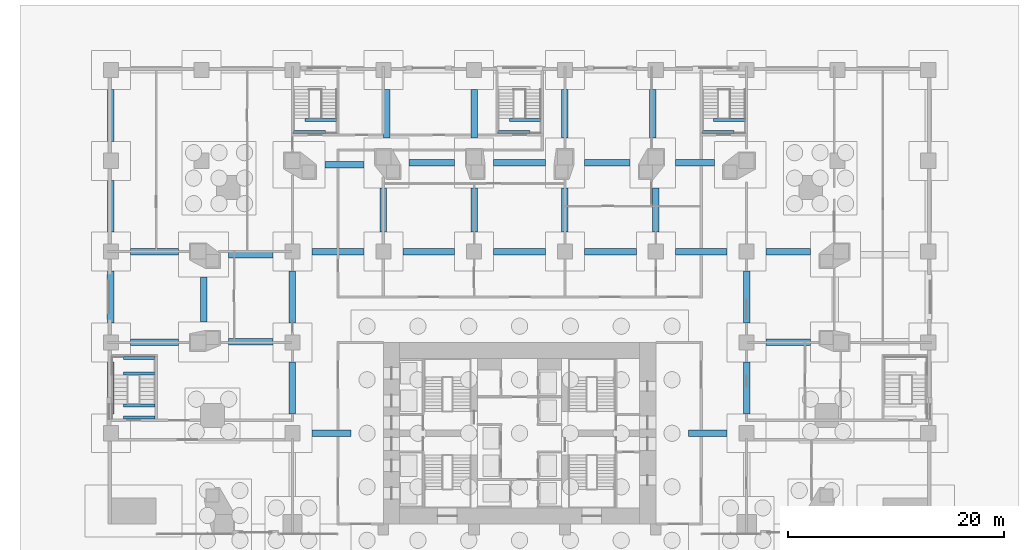
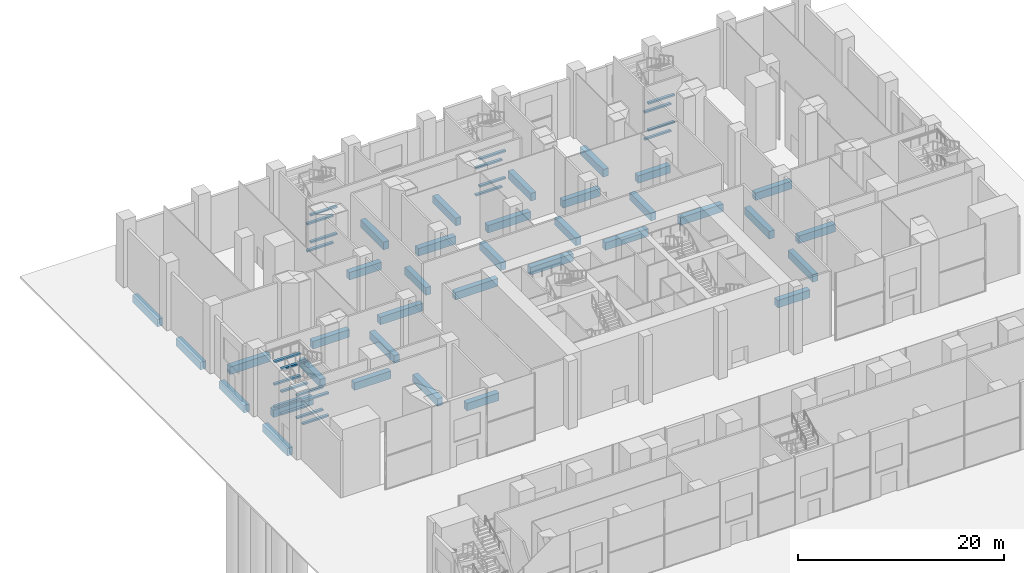
# One storey, part 8 of 31: 57 beams.
"""IFC4 building model written with IfcOpenShell, lengths in metres."""

from ifc_helpers import new_model, si_unit, direction, frame, origin, origin_2d, place, context, subcontext, project, spatial, rectangle, extrude, material, material_profile, profile_set, type_object, element, save


model = new_model("IFC4")

# Units and contexts
model_context = context("Model", 3, precision=1e-05, world=origin(), true_north=direction((0.0, 1.0)))
body_context = subcontext(model_context, "Body", "Model", "MODEL_VIEW")
ifc_project = project(units=[si_unit("LENGTHUNIT", "METRE"), si_unit("AREAUNIT", "SQUARE_METRE"), si_unit("VOLUMEUNIT", "CUBIC_METRE"), si_unit("PLANEANGLEUNIT", "RADIAN"), si_unit("MASSUNIT", "GRAM", prefix="KILO")], contexts=[model_context])

# Site, building, storey
site_placement = place(None, origin())
site = spatial("IfcSite", under=ifc_project, at=site_placement, CompositionType="ELEMENT")
building_placement = place(site_placement, origin())
building = spatial("IfcBuilding", under=site, at=building_placement, Name="Marenta Gate Hotel Tower", CompositionType="ELEMENT")
storey_placement = place(building_placement, origin())
storey = spatial("IfcBuildingStorey", under=building, at=storey_placement, Name="L00", CompositionType="ELEMENT", Elevation=0.0)

# Beams
ifc_material_1 = material(Name="Concrete C40", Category="concrete")
ifc_material_profile_1 = material_profile(ifc_material_1, rectangle(XDim=0.60009765625, YDim=0.89990234375, at=origin_2d()), Name="600 x 900")
ifc_profile_set_1 = profile_set([ifc_material_profile_1], Name="Concrete C40")
beam_type_1 = type_object("IfcBeamType", Name="Ground beam 600 x 900 C40", PredefinedType="BEAM", material=ifc_profile_set_1)
beam_1_placement = place(storey_placement, frame((-37.800048828125, 10.199951171875, -0.75), z_axis=(0.0, 1.0, 0.0), x_axis=(-1.0, 0.0, 0.0)))
element("IfcBeam", 1, at=beam_1_placement, inside=storey, type_object=beam_type_1, Name="L00-GB-11", PredefinedType="BEAM", context=body_context, shape_type="SweptSolid", body=[
    extrude(rectangle(XDim=0.60009765625, YDim=0.89990234375, at=origin_2d()), origin(), (0.0, 0.0, 1.0), 4.800048828125),
])
beam_2_placement = place(storey_placement, frame((-36.0, 16.800048828125, -0.75), z_axis=(1.0, 0.0, 0.0), x_axis=(0.0, 1.0, 0.0)))
element("IfcBeam", 2, at=beam_2_placement, inside=storey, type_object=beam_type_1, Name="L00-GB-12", PredefinedType="BEAM", context=body_context, shape_type="SweptSolid", body=[
    extrude(rectangle(XDim=0.60009765625, YDim=0.89990234375, at=origin_2d()), origin(), (0.0, 0.0, 1.0), 4.47998046875),
])
beam_3_placement = place(storey_placement, frame((-37.800048828125, 18.60009765625, -0.75), z_axis=(0.0, 1.0, 0.0), x_axis=(-1.0, 0.0, 0.0)))
element("IfcBeam", 3, at=beam_3_placement, inside=storey, type_object=beam_type_1, Name="L00-GB-13", PredefinedType="BEAM", context=body_context, shape_type="SweptSolid", body=[
    extrude(rectangle(XDim=0.60009765625, YDim=0.89990234375, at=origin_2d()), origin(), (0.0, 0.0, 1.0), 4.7998046875),
])
beam_4_placement = place(storey_placement, frame((-36.0, 25.199951171875, -0.75), z_axis=(1.0, 0.0, 0.0), x_axis=(0.0, 1.0, 0.0)))
element("IfcBeam", 4, at=beam_4_placement, inside=storey, type_object=beam_type_1, Name="L00-GB-14", PredefinedType="BEAM", context=body_context, shape_type="SweptSolid", body=[
    extrude(rectangle(XDim=0.60009765625, YDim=0.89990234375, at=origin_2d()), origin(), (0.0, 0.0, 1.0), 4.47998046875),
])
for number, where, z_axis, x_axis, name in (
    (5, (-37.800048828125, 27.0, -0.75), (0.0, 1.0, 0.0), (-1.0, 0.0, 0.0), "L00-GB-15"),
    (6, (-37.800048828125, 35.39990234375, -0.75), (0.0, 1.0, 0.0), (-1.0, 0.0, 0.0), "L00-GB-16"),
):
    element("IfcBeam", number, at=place(storey_placement, frame(where, z_axis=z_axis, x_axis=x_axis)), inside=storey, type_object=beam_type_1, Name=name, PredefinedType="BEAM", context=body_context, shape_type="SweptSolid", body=[
        extrude(rectangle(XDim=0.60009765625, YDim=0.89990234375, at=origin_2d()), origin(), (0.0, 0.0, 1.0), 4.800048828125),
    ])
beam_5_placement = place(storey_placement, frame((-26.89990234375, 16.8515625, -0.75), z_axis=(1.0, 0.0, 0.0), x_axis=(0.0, 1.0, 0.0)))
element("IfcBeam", 7, at=beam_5_placement, inside=storey, type_object=beam_type_1, Name="L00-GB-19", PredefinedType="BEAM", context=body_context, shape_type="SweptSolid", body=[
    extrude(rectangle(XDim=0.60009765625, YDim=0.89990234375, at=origin_2d()), origin(), (0.0, 0.0, 1.0), 4.099853515625),
])
beam_6_placement = place(storey_placement, frame((-29.2099609375, 18.702880859375, -0.75), z_axis=(0.0, 1.0, 0.0), x_axis=(-1.0, 0.0, 0.0)))
element("IfcBeam", 8, at=beam_6_placement, inside=storey, type_object=beam_type_1, Name="L00-GB-20", PredefinedType="BEAM", context=body_context, shape_type="SweptSolid", body=[
    extrude(rectangle(XDim=0.60009765625, YDim=0.89990234375, at=origin_2d()), origin(), (0.0, 0.0, 1.0), 4.153076171875),
])
beam_7_placement = place(storey_placement, frame((-26.89990234375, 24.927978515625, -0.75), z_axis=(1.0, 0.0, 0.0), x_axis=(0.0, 1.0, 0.0)))
element("IfcBeam", 9, at=beam_7_placement, inside=storey, type_object=beam_type_1, Name="L00-GB-21", PredefinedType="BEAM", context=body_context, shape_type="SweptSolid", body=[
    extrude(rectangle(XDim=0.60009765625, YDim=0.89990234375, at=origin_2d()), origin(), (0.0, 0.0, 1.0), 4.099853515625),
])
beam_8_placement = place(storey_placement, frame((-19.199951171875, 8.39990234375, -0.75), z_axis=(1.0, 0.0, 0.0), x_axis=(0.0, 1.0, 0.0)))
element("IfcBeam", 10, at=beam_8_placement, inside=storey, type_object=beam_type_1, Name="L00-GB-28", PredefinedType="BEAM", context=body_context, shape_type="SweptSolid", body=[
    extrude(rectangle(XDim=0.60009765625, YDim=0.89990234375, at=origin_2d()), origin(), (0.0, 0.0, 1.0), 3.599853515625),
])
beam_9_placement = place(storey_placement, frame((-21.0, 10.199951171875, -0.75), z_axis=(0.0, 1.0, 0.0), x_axis=(-1.0, 0.0, 0.0)))
element("IfcBeam", 11, at=beam_9_placement, inside=storey, type_object=beam_type_1, Name="L00-GB-29", PredefinedType="BEAM", context=body_context, shape_type="SweptSolid", body=[
    extrude(rectangle(XDim=0.60009765625, YDim=0.89990234375, at=origin_2d()), origin(), (0.0, 0.0, 1.0), 4.800048828125),
])
beam_10_placement = place(storey_placement, frame((-21.0, 18.60009765625, -0.75), z_axis=(0.0, 1.0, 0.0), x_axis=(-1.0, 0.0, 0.0)))
element("IfcBeam", 12, at=beam_10_placement, inside=storey, type_object=beam_type_1, Name="L00-GB-30", PredefinedType="BEAM", context=body_context, shape_type="SweptSolid", body=[
    extrude(rectangle(XDim=0.60009765625, YDim=0.89990234375, at=origin_2d()), origin(), (0.0, 0.0, 1.0), 4.7998046875),
])
beam_11_placement = place(storey_placement, frame((-19.199951171875, 25.199951171875, -0.75), z_axis=(1.0, 0.0, 0.0), x_axis=(0.0, 1.0, 0.0)))
element("IfcBeam", 13, at=beam_11_placement, inside=storey, type_object=beam_type_1, Name="L00-GB-31", PredefinedType="BEAM", context=body_context, shape_type="SweptSolid", body=[
    extrude(rectangle(XDim=0.60009765625, YDim=0.89990234375, at=origin_2d()), origin(), (0.0, 0.0, 1.0), 4.800048828125),
])
beam_12_placement = place(storey_placement, frame((-18.007080078125, 33.25, -0.75), z_axis=(1.0, 0.0, 0.0), x_axis=(0.0, 1.0, 0.0)))
element("IfcBeam", 14, at=beam_12_placement, inside=storey, type_object=beam_type_1, Name="L00-GB-32", PredefinedType="BEAM", context=body_context, shape_type="SweptSolid", body=[
    extrude(rectangle(XDim=0.60009765625, YDim=0.89990234375, at=origin_2d()), origin(), (0.0, 0.0, 1.0), 3.607177734375),
])
beam_13_placement = place(storey_placement, frame((-10.800048828125, 25.199951171875, -0.75), z_axis=(1.0, 0.0, 0.0), x_axis=(0.0, 1.0, 0.0)))
element("IfcBeam", 15, at=beam_13_placement, inside=storey, type_object=beam_type_1, Name="L00-GB-36", PredefinedType="BEAM", context=body_context, shape_type="SweptSolid", body=[
    extrude(rectangle(XDim=0.60009765625, YDim=0.89990234375, at=origin_2d()), origin(), (0.0, 0.0, 1.0), 4.800048828125),
])
beam_14_placement = place(storey_placement, frame((-12.60009765625, 27.0, -0.75), z_axis=(0.0, 1.0, 0.0), x_axis=(-1.0, 0.0, 0.0)))
element("IfcBeam", 16, at=beam_14_placement, inside=storey, type_object=beam_type_1, Name="L00-GB-37", PredefinedType="BEAM", context=body_context, shape_type="SweptSolid", body=[
    extrude(rectangle(XDim=0.60009765625, YDim=0.89990234375, at=origin_2d()), origin(), (0.0, 0.0, 1.0), 4.10009765625),
])
beam_15_placement = place(storey_placement, frame((-10.2041015625, 33.409912109375, -0.75), z_axis=(1.0, 0.0, 0.0), x_axis=(0.0, 1.0, 0.0)))
element("IfcBeam", 17, at=beam_15_placement, inside=storey, type_object=beam_type_1, Name="L00-GB-38", PredefinedType="BEAM", context=body_context, shape_type="SweptSolid", body=[
    extrude(rectangle(XDim=0.60009765625, YDim=0.89990234375, at=origin_2d()), origin(), (0.0, 0.0, 1.0), 4.2041015625),
])
beam_16_placement = place(storey_placement, frame((-12.302001953125, 35.719970703125, -0.75), z_axis=(0.0, 1.0, 0.0), x_axis=(-1.0, 0.0, 0.0)))
element("IfcBeam", 18, at=beam_16_placement, inside=storey, type_object=beam_type_1, Name="L00-GB-39", PredefinedType="BEAM", context=body_context, shape_type="SweptSolid", body=[
    extrude(rectangle(XDim=0.60009765625, YDim=0.89990234375, at=origin_2d()), origin(), (0.0, 0.0, 1.0), 4.47998046875),
])
beam_17_placement = place(storey_placement, frame((-2.39990234375, 25.199951171875, -0.75), z_axis=(1.0, 0.0, 0.0), x_axis=(0.0, 1.0, 0.0)))
element("IfcBeam", 19, at=beam_17_placement, inside=storey, type_object=beam_type_1, Name="L00-GB-44", PredefinedType="BEAM", context=body_context, shape_type="SweptSolid", body=[
    extrude(rectangle(XDim=0.60009765625, YDim=0.89990234375, at=origin_2d()), origin(), (0.0, 0.0, 1.0), 4.7998046875),
])
beam_18_placement = place(storey_placement, frame((-4.199951171875, 27.0, -0.75), z_axis=(0.0, 1.0, 0.0), x_axis=(-1.0, 0.0, 0.0)))
element("IfcBeam", 20, at=beam_18_placement, inside=storey, type_object=beam_type_1, Name="L00-GB-45", PredefinedType="BEAM", context=body_context, shape_type="SweptSolid", body=[
    extrude(rectangle(XDim=0.60009765625, YDim=0.89990234375, at=origin_2d()), origin(), (0.0, 0.0, 1.0), 4.10009765625),
])
beam_19_placement = place(storey_placement, frame((-2.39990234375, 33.409912109375, -0.75), z_axis=(1.0, 0.0, 0.0), x_axis=(0.0, 1.0, 0.0)))
element("IfcBeam", 21, at=beam_19_placement, inside=storey, type_object=beam_type_1, Name="L00-GB-46", PredefinedType="BEAM", context=body_context, shape_type="SweptSolid", body=[
    extrude(rectangle(XDim=0.60009765625, YDim=0.89990234375, at=origin_2d()), origin(), (0.0, 0.0, 1.0), 4.7998046875),
])
beam_20_placement = place(storey_placement, frame((-4.199951171875, 35.719970703125, -0.75), z_axis=(0.0, 1.0, 0.0), x_axis=(-1.0, 0.0, 0.0)))
element("IfcBeam", 22, at=beam_20_placement, inside=storey, type_object=beam_type_1, Name="L00-GB-47", PredefinedType="BEAM", context=body_context, shape_type="SweptSolid", body=[
    extrude(rectangle(XDim=0.60009765625, YDim=0.89990234375, at=origin_2d()), origin(), (0.0, 0.0, 1.0), 4.47998046875),
])
beam_21_placement = place(storey_placement, frame((6.0, 25.199951171875, -0.75), z_axis=(1.0, 0.0, 0.0), x_axis=(0.0, 1.0, 0.0)))
element("IfcBeam", 23, at=beam_21_placement, inside=storey, type_object=beam_type_1, Name="L00-GB-52", PredefinedType="BEAM", context=body_context, shape_type="SweptSolid", body=[
    extrude(rectangle(XDim=0.60009765625, YDim=0.89990234375, at=origin_2d()), origin(), (0.0, 0.0, 1.0), 4.800048828125),
])
beam_22_placement = place(storey_placement, frame((4.199951171875, 27.0, -0.75), z_axis=(0.0, 1.0, 0.0), x_axis=(-1.0, 0.0, 0.0)))
element("IfcBeam", 24, at=beam_22_placement, inside=storey, type_object=beam_type_1, Name="L00-GB-53", PredefinedType="BEAM", context=body_context, shape_type="SweptSolid", body=[
    extrude(rectangle(XDim=0.60009765625, YDim=0.89990234375, at=origin_2d()), origin(), (0.0, 0.0, 1.0), 4.10009765625),
])
beam_23_placement = place(storey_placement, frame((6.0, 33.409912109375, -0.75), z_axis=(1.0, 0.0, 0.0), x_axis=(0.0, 1.0, 0.0)))
element("IfcBeam", 25, at=beam_23_placement, inside=storey, type_object=beam_type_1, Name="L00-GB-54", PredefinedType="BEAM", context=body_context, shape_type="SweptSolid", body=[
    extrude(rectangle(XDim=0.60009765625, YDim=0.89990234375, at=origin_2d()), origin(), (0.0, 0.0, 1.0), 4.2041015625),
])
beam_24_placement = place(storey_placement, frame((4.199951171875, 35.719970703125, -0.75), z_axis=(0.0, 1.0, 0.0), x_axis=(-1.0, 0.0, 0.0)))
element("IfcBeam", 26, at=beam_24_placement, inside=storey, type_object=beam_type_1, Name="L00-GB-55", PredefinedType="BEAM", context=body_context, shape_type="SweptSolid", body=[
    extrude(rectangle(XDim=0.60009765625, YDim=0.89990234375, at=origin_2d()), origin(), (0.0, 0.0, 1.0), 4.47998046875),
])
beam_25_placement = place(storey_placement, frame((14.39990234375, 25.199951171875, -0.75), z_axis=(1.0, 0.0, 0.0), x_axis=(0.0, 1.0, 0.0)))
element("IfcBeam", 27, at=beam_25_placement, inside=storey, type_object=beam_type_1, Name="L00-GB-59", PredefinedType="BEAM", context=body_context, shape_type="SweptSolid", body=[
    extrude(rectangle(XDim=0.60009765625, YDim=0.89990234375, at=origin_2d()), origin(), (0.0, 0.0, 1.0), 4.800048828125),
])
beam_26_placement = place(storey_placement, frame((12.60009765625, 27.0, -0.75), z_axis=(0.0, 1.0, 0.0), x_axis=(-1.0, 0.0, 0.0)))
element("IfcBeam", 28, at=beam_26_placement, inside=storey, type_object=beam_type_1, Name="L00-GB-60", PredefinedType="BEAM", context=body_context, shape_type="SweptSolid", body=[
    extrude(rectangle(XDim=0.60009765625, YDim=0.89990234375, at=origin_2d()), origin(), (0.0, 0.0, 1.0), 4.10009765625),
])
beam_27_placement = place(storey_placement, frame((14.39990234375, 33.409912109375, -0.75), z_axis=(1.0, 0.0, 0.0), x_axis=(0.0, 1.0, 0.0)))
element("IfcBeam", 29, at=beam_27_placement, inside=storey, type_object=beam_type_1, Name="L00-GB-61", PredefinedType="BEAM", context=body_context, shape_type="SweptSolid", body=[
    extrude(rectangle(XDim=0.60009765625, YDim=0.89990234375, at=origin_2d()), origin(), (0.0, 0.0, 1.0), 3.607177734375),
])
beam_28_placement = place(storey_placement, frame((12.302001953125, 35.719970703125, -0.75), z_axis=(0.0, 1.0, 0.0), x_axis=(-1.0, 0.0, 0.0)))
element("IfcBeam", 30, at=beam_28_placement, inside=storey, type_object=beam_type_1, Name="L00-GB-62", PredefinedType="BEAM", context=body_context, shape_type="SweptSolid", body=[
    extrude(rectangle(XDim=0.60009765625, YDim=0.89990234375, at=origin_2d()), origin(), (0.0, 0.0, 1.0), 4.47998046875),
])
beam_29_placement = place(storey_placement, frame((21.0, 10.199951171875, -0.75), z_axis=(0.0, 1.0, 0.0), x_axis=(-1.0, 0.0, 0.0)))
element("IfcBeam", 31, at=beam_29_placement, inside=storey, type_object=beam_type_1, Name="L00-GB-69", PredefinedType="BEAM", context=body_context, shape_type="SweptSolid", body=[
    extrude(rectangle(XDim=0.60009765625, YDim=0.89990234375, at=origin_2d()), origin(), (0.0, 0.0, 1.0), 4.800048828125),
])
beam_30_placement = place(storey_placement, frame((22.800048828125, 16.800048828125, -0.75), z_axis=(1.0, 0.0, 0.0), x_axis=(0.0, 1.0, 0.0)))
element("IfcBeam", 32, at=beam_30_placement, inside=storey, type_object=beam_type_1, Name="L00-GB-70", PredefinedType="BEAM", context=body_context, shape_type="SweptSolid", body=[
    extrude(rectangle(XDim=0.60009765625, YDim=0.89990234375, at=origin_2d()), origin(), (0.0, 0.0, 1.0), 4.099853515625),
])
beam_31_placement = place(storey_placement, frame((21.0, 18.60009765625, -0.75), z_axis=(0.0, 1.0, 0.0), x_axis=(-1.0, 0.0, 0.0)))
element("IfcBeam", 33, at=beam_31_placement, inside=storey, type_object=beam_type_1, Name="L00-GB-71", PredefinedType="BEAM", context=body_context, shape_type="SweptSolid", body=[
    extrude(rectangle(XDim=0.60009765625, YDim=0.89990234375, at=origin_2d()), origin(), (0.0, 0.0, 1.0), 4.7998046875),
])
beam_32_placement = place(storey_placement, frame((22.800048828125, 25.199951171875, -0.75), z_axis=(1.0, 0.0, 0.0), x_axis=(0.0, 1.0, 0.0)))
element("IfcBeam", 34, at=beam_32_placement, inside=storey, type_object=beam_type_1, Name="L00-GB-72", PredefinedType="BEAM", context=body_context, shape_type="SweptSolid", body=[
    extrude(rectangle(XDim=0.60009765625, YDim=0.89990234375, at=origin_2d()), origin(), (0.0, 0.0, 1.0), 4.099853515625),
])
beam_33_placement = place(storey_placement, frame((15.60009765625, 8.39990234375, -0.75), z_axis=(1.0, 0.0, 0.0), x_axis=(0.0, 1.0, 0.0)))
element("IfcBeam", 35, at=beam_33_placement, inside=storey, type_object=beam_type_1, Name="L00-GB-74", PredefinedType="BEAM", context=body_context, shape_type="SweptSolid", body=[
    extrude(rectangle(XDim=0.60009765625, YDim=0.89990234375, at=origin_2d()), origin(), (0.0, 0.0, 1.0), 3.599853515625),
])
ifc_material_2 = material(Name="Concrete C40", Category="concrete")
ifc_material_profile_2 = material_profile(ifc_material_2, rectangle(XDim=0.300048828125, YDim=0.199951171875, at=origin_2d()), Name="300 x 200")
ifc_profile_set_2 = profile_set([ifc_material_profile_2], Name="Concrete C40")
beam_type_2 = type_object("IfcBeamType", Name="Stair landing trimmer 300 x 200 C40", PredefinedType="BEAM", material=ifc_profile_set_2)
beam_34_placement = place(storey_placement, frame((-20.89990234375, 36.25, 1.300048828125), z_axis=(1.0, 0.0, 0.0), x_axis=(0.0, 1.0, 0.0)))
element("IfcBeam", 36, at=beam_34_placement, inside=storey, type_object=beam_type_2, Name="L00-PX3-LT-1", PredefinedType="BEAM", context=body_context, shape_type="SweptSolid", body=[
    extrude(rectangle(XDim=0.300048828125, YDim=0.199951171875, at=origin_2d()), origin(), (0.0, 0.0, 1.0), 2.949951171875),
])
beam_35_placement = place(storey_placement, frame((-19.85009765625, 37.3798828125, 1.300048828125), z_axis=(1.0, 0.0, 0.0), x_axis=(0.0, 1.0, 0.0)))
element("IfcBeam", 37, at=beam_35_placement, inside=storey, type_object=beam_type_2, Name="L00-PX3-LT-2", PredefinedType="BEAM", context=body_context, shape_type="SweptSolid", body=[
    extrude(rectangle(XDim=0.300048828125, YDim=0.199951171875, at=origin_2d()), origin(), (0.0, 0.0, 1.0), 2.9501953125),
])
beam_36_placement = place(storey_placement, frame((-20.89990234375, 36.25, 4.5), z_axis=(1.0, 0.0, 0.0), x_axis=(0.0, 1.0, 0.0)))
element("IfcBeam", 38, at=beam_36_placement, inside=storey, type_object=beam_type_2, Name="L00-PX3-LT-5", PredefinedType="BEAM", context=body_context, shape_type="SweptSolid", body=[
    extrude(rectangle(XDim=0.300048828125, YDim=0.199951171875, at=origin_2d()), origin(), (0.0, 0.0, 1.0), 2.949951171875),
])
for number, where, z_axis, x_axis, name in (
    (39, (-19.85009765625, 37.3798828125, 4.5), (1.0, 0.0, 0.0), (0.0, 1.0, 0.0), "L00-PX3-LT-6"),
    (40, (16.89990234375, 36.25, 1.300048828125), (1.0, 0.0, 0.0), (0.0, 1.0, 0.0), "L00-PX4-LT-1"),
):
    element("IfcBeam", number, at=place(storey_placement, frame(where, z_axis=z_axis, x_axis=x_axis)), inside=storey, type_object=beam_type_2, Name=name, PredefinedType="BEAM", context=body_context, shape_type="SweptSolid", body=[
        extrude(rectangle(XDim=0.300048828125, YDim=0.199951171875, at=origin_2d()), origin(), (0.0, 0.0, 1.0), 2.9501953125),
    ])
beam_37_placement = place(storey_placement, frame((17.949951171875, 37.3798828125, 1.300048828125), z_axis=(1.0, 0.0, 0.0), x_axis=(0.0, 1.0, 0.0)))
element("IfcBeam", 41, at=beam_37_placement, inside=storey, type_object=beam_type_2, Name="L00-PX4-LT-2", PredefinedType="BEAM", context=body_context, shape_type="SweptSolid", body=[
    extrude(rectangle(XDim=0.300048828125, YDim=0.199951171875, at=origin_2d()), origin(), (0.0, 0.0, 1.0), 2.949951171875),
])
beam_38_placement = place(storey_placement, frame((16.89990234375, 36.25, 4.5), z_axis=(1.0, 0.0, 0.0), x_axis=(0.0, 1.0, 0.0)))
element("IfcBeam", 42, at=beam_38_placement, inside=storey, type_object=beam_type_2, Name="L00-PX4-LT-5", PredefinedType="BEAM", context=body_context, shape_type="SweptSolid", body=[
    extrude(rectangle(XDim=0.300048828125, YDim=0.199951171875, at=origin_2d()), origin(), (0.0, 0.0, 1.0), 2.9501953125),
])
for number, where, z_axis, x_axis, name in (
    (43, (17.949951171875, 37.3798828125, 4.5), (1.0, 0.0, 0.0), (0.0, 1.0, 0.0), "L00-PX4-LT-6"),
    (44, (-36.64990234375, 13.93994140625, 1.033203125), (1.0, 0.0, 0.0), (0.0, 1.0, 0.0), "L00-PX6-LT-1"),
    (45, (-36.64990234375, 15.35009765625, 1.033203125), (1.0, 0.0, 0.0), (0.0, 1.0, 0.0), "L00-PX6-LT-2"),
    (46, (-36.64990234375, 9.85009765625, 2.36669921875), (1.0, 0.0, 0.0), (0.0, 1.0, 0.0), "L00-PX6-LT-3"),
    (47, (-36.64990234375, 10.97998046875, 2.36669921875), (1.0, 0.0, 0.0), (0.0, 1.0, 0.0), "L00-PX6-LT-4"),
    (48, (-36.64990234375, 13.93994140625, 3.699951171875), (1.0, 0.0, 0.0), (0.0, 1.0, 0.0), "L00-PX6-LT-5"),
    (49, (-36.64990234375, 15.35009765625, 3.699951171875), (1.0, 0.0, 0.0), (0.0, 1.0, 0.0), "L00-PX6-LT-6"),
    (50, (-36.64990234375, 9.85009765625, 5.033203125), (1.0, 0.0, 0.0), (0.0, 1.0, 0.0), "L00-PX6-LT-7"),
    (51, (-36.64990234375, 10.97998046875, 5.033203125), (1.0, 0.0, 0.0), (0.0, 1.0, 0.0), "L00-PX6-LT-8"),
    (52, (-36.64990234375, 13.93994140625, 6.36669921875), (1.0, 0.0, 0.0), (0.0, 1.0, 0.0), "L00-PX6-LT-9"),
    (53, (-36.64990234375, 15.35009765625, 6.36669921875), (1.0, 0.0, 0.0), (0.0, 1.0, 0.0), "L00-PX6-LT-10"),
    (54, (-2.0, 36.25, 1.300048828125), (1.0, 0.0, 0.0), (0.0, 1.0, 0.0), "L00-PX8-LT-1"),
    (55, (-0.949951171875, 37.3798828125, 1.300048828125), (1.0, 0.0, 0.0), (0.0, 1.0, 0.0), "L00-PX8-LT-2"),
    (56, (-2.0, 36.25, 4.5), (1.0, 0.0, 0.0), (0.0, 1.0, 0.0), "L00-PX8-LT-5"),
    (57, (-0.949951171875, 37.3798828125, 4.5), (1.0, 0.0, 0.0), (0.0, 1.0, 0.0), "L00-PX8-LT-6"),
):
    element("IfcBeam", number, at=place(storey_placement, frame(where, z_axis=z_axis, x_axis=x_axis)), inside=storey, type_object=beam_type_2, Name=name, PredefinedType="BEAM", context=body_context, shape_type="SweptSolid", body=[
        extrude(rectangle(XDim=0.300048828125, YDim=0.199951171875, at=origin_2d()), origin(), (0.0, 0.0, 1.0), 2.949951171875),
    ])

save(model, "model.ifc")
